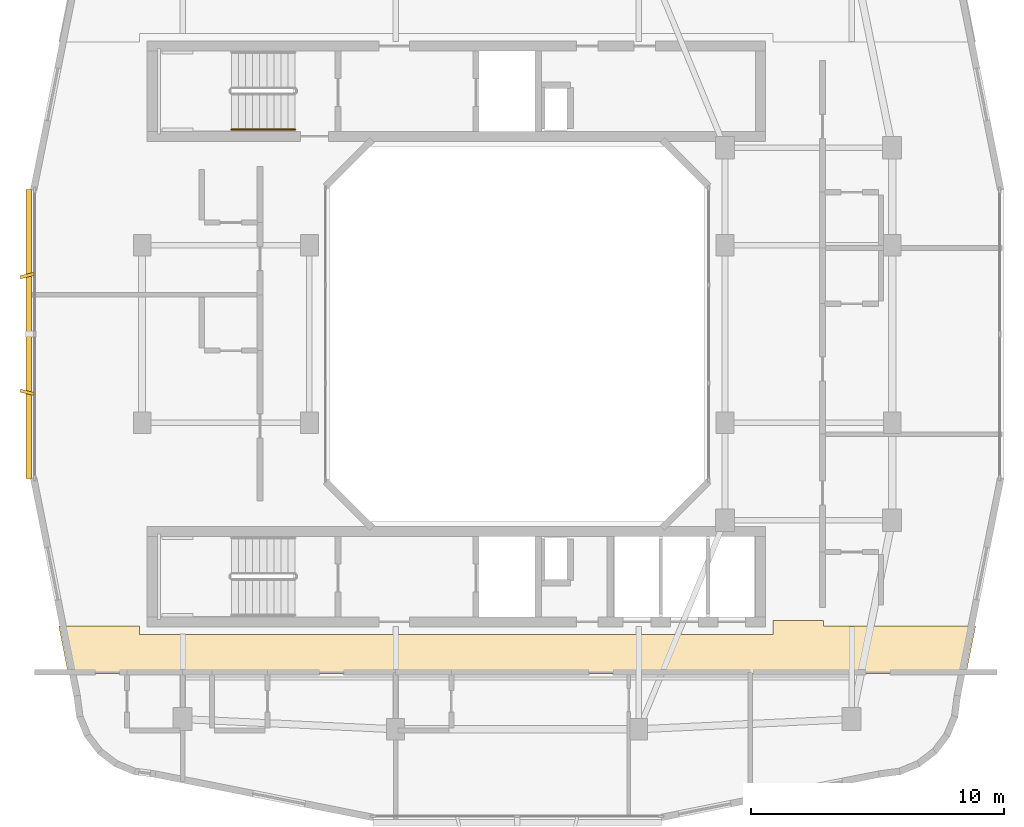
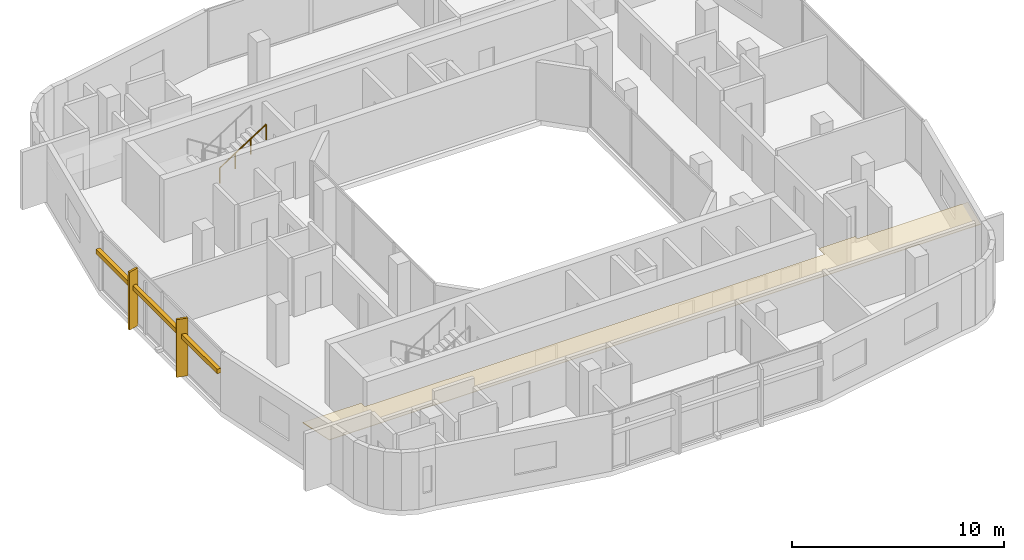
# One storey, part 12 of 14: 3 shading devices, 1 covering, 1 railing.
"""IFC4 building model written with IfcOpenShell, lengths in metres."""

from ifc_helpers import new_model, si_unit, derived_unit, direction, frame, origin, origin_2d, place, context, subcontext, project, spatial, polyline, rectangle, circle, outline, extrude, material, layer, layer_set, type_object, element, save


model = new_model("IFC4")

# Units and contexts
model_context = context("Model", 3, precision=1e-05, world=origin(), true_north=direction((0.0, 1.0)))
body_context = subcontext(model_context, "Body", "Model", "MODEL_VIEW")
ifc_project = project(units=[si_unit("LENGTHUNIT", "METRE"), si_unit("AREAUNIT", "SQUARE_METRE"), si_unit("VOLUMEUNIT", "CUBIC_METRE"), si_unit("PLANEANGLEUNIT", "RADIAN"), si_unit("MASSUNIT", "GRAM", prefix="KILO"), derived_unit("THERMALTRANSMITTANCEUNIT", [(si_unit("POWERUNIT", "WATT"), 1), (si_unit("LENGTHUNIT", "METRE"), -2), (si_unit("THERMODYNAMICTEMPERATUREUNIT", "KELVIN"), -1)])], contexts=[model_context])

# Site, building, storey
site_placement = place(None, origin())
site = spatial("IfcSite", under=ifc_project, at=site_placement, CompositionType="ELEMENT")
building_placement = place(site_placement, origin())
building = spatial("IfcBuilding", under=site, at=building_placement, Name="Kivonza Crest Hotel", CompositionType="ELEMENT")
storey_placement = place(building_placement, frame((0.0, 0.0, 202.699951171875)))
storey = spatial("IfcBuildingStorey", under=building, at=storey_placement, Name="L55", CompositionType="ELEMENT", Elevation=202.699951171875)

# Covering
ifc_material_1 = material(Name="Moisture-resistant gypsum plasterboard ceiling", Category="gypsum")
ifc_layer = layer(ifc_material_1, 0.030029296875)
ifc_layer_set = layer_set([ifc_layer], Name="Moisture-resistant gypsum plasterboard ceiling")
covering_type = type_object("IfcCoveringType", Name="CV-CEIL-GYP", PredefinedType="CEILING", material=ifc_layer_set)
covering_placement = place(storey_placement, frame((0.0, 0.0, 2.449951171875)))
element("IfcCovering", 1, at=covering_placement, inside=storey, type_object=covering_type, Name="L55 Hotel South Guest Corridor suspended ceiling", PredefinedType="CEILING", context=body_context, shape_type="SweptSolid", body=[
    extrude(outline(polyline([(33.090087890625, 13.47998046875), (33.090087890625, 13.68994140625), (31.10009765625, 13.68994140625), (31.10009765625, 13.139892578125), (6.10009765625, 13.139892578125), (6.10009765625, 13.47998046875), (2.906005859375, 13.47998046875), (3.278076171875, 11.610107421875), (38.721923828125, 11.610107421875), (39.093994140625, 13.47998046875), (33.090087890625, 13.47998046875)])), origin(), (0.0, 0.0, 1.0), 0.030029296875),
])

# Railing
ifc_material_2 = material(Name="Brushed stainless steel handrail", Category="steel")
railing_type = type_object("IfcRailingType", Name="RL-HAND-900", PredefinedType="HANDRAIL", material=ifc_material_2)
railing_placement = place(storey_placement, frame((9.719970703125, 33.070068359375, 1.97998046875)))
element("IfcRailing", 2, at=railing_placement, inside=storey, type_object=railing_type, Name="L55 ST-T1-N stair handrail 2", PredefinedType="HANDRAIL", context=body_context, shape_type="SweptSolid", body=[
    extrude(circle(Radius=0.02392578125, at=origin_2d()), frame((0.0, 0.0, 0.8759765625), z_axis=(0.841162588446, 0.0, 0.540782303519), x_axis=(0.0, 1.0, 0.0)), (0.0, 0.0, 1.0), 2.995849609375),
    extrude(circle(Radius=0.02099609375, at=origin_2d()), origin(), (0.0, 0.0, 1.0), 0.851806640625),
    extrude(circle(Radius=0.02099609375, at=origin_2d()), frame((0.840087890625, 0.0, 0.5400390625)), (0.0, 0.0, 1.0), 0.851806640625),
    extrude(circle(Radius=0.02099609375, at=origin_2d()), frame((1.679931640625, 0.0, 1.080078125)), (0.0, 0.0, 1.0), 0.851806640625),
    extrude(circle(Radius=0.02099609375, at=origin_2d()), frame((2.52001953125, 0.0, 1.6201171875)), (0.0, 0.0, 1.0), 0.851806640625),
])

# Shading devices
ifc_material_3 = material(Name="Kiln-fired Nairobi red-ochre terracotta", Category="masonry")
shading_device_type_1 = type_object("IfcShadingDeviceType", Name="SH-BAGUETTE-300", PredefinedType="USERDEFINED", material=ifc_material_3)
shading_device_placement = place(storey_placement, frame((1.719970703125, 25.0, 2.19384765625), z_axis=(0.0, 0.0, 1.0), x_axis=(0.0, -1.0, 0.0)))
element("IfcShadingDevice", 3, at=shading_device_placement, inside=storey, type_object=shading_device_type_1, Name="L55 terracotta baguette screen CW-T1-L55-35", ObjectType="BAGUETTE", PredefinedType="USERDEFINED", context=body_context, shape_type="SweptSolid", body=[
    extrude(rectangle(XDim=11.39990234375, YDim=0.219970703125, at=origin_2d()), origin(), (0.0, 0.0, 1.0), 0.260009765625),
])
ifc_material_4 = material(Name="Kiln-fired terracotta over extruded aluminium spine", Category="masonry")
shading_device_type_2 = type_object("IfcShadingDeviceType", Name="SH-FIN-550", PredefinedType="USERDEFINED", material=ifc_material_4)
for number, where, z_axis, x_axis, name in (
    (4, (1.659912109375, 27.303955078125, 0.0), (0.0, 0.0, 1.0), (0.2419218956, -0.970295726276, 0.0), "L55 vertical solar shading fin CW-T1-L55-35-1"),
    (5, (1.659912109375, 22.696044921875, 0.0), (0.0, 0.0, 1.0), (-0.2419218956, -0.970295726276, 0.0), "L55 vertical solar shading fin CW-T1-L55-35-2"),
):
    element("IfcShadingDevice", number, at=place(storey_placement, frame(where, z_axis=z_axis, x_axis=x_axis)), inside=storey, type_object=shading_device_type_2, Name=name, ObjectType="FIN", PredefinedType="USERDEFINED", context=body_context, shape_type="SweptSolid", body=[
        extrude(rectangle(XDim=0.1201171875, YDim=0.550048828125, at=origin_2d()), origin(), (0.0, 0.0, 1.0), 3.320068359375),
    ])

save(model, "model.ifc")
